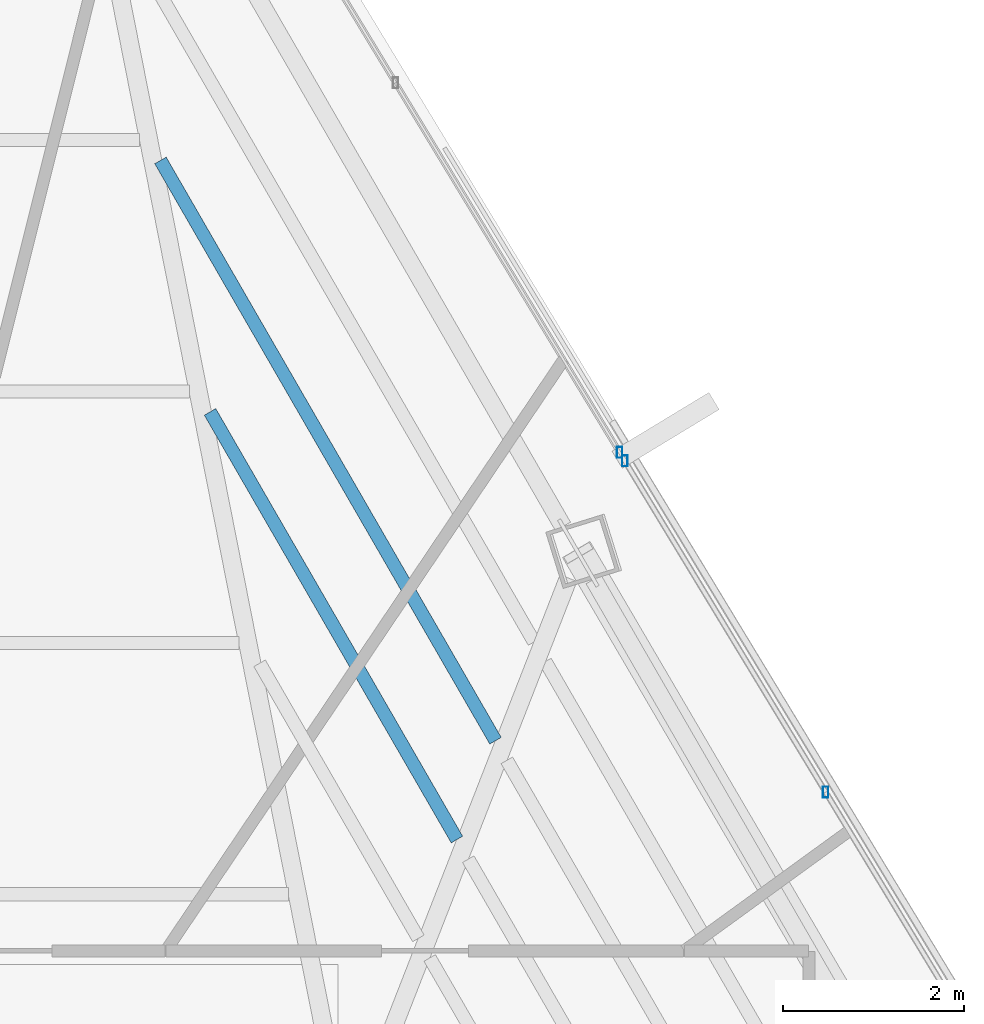
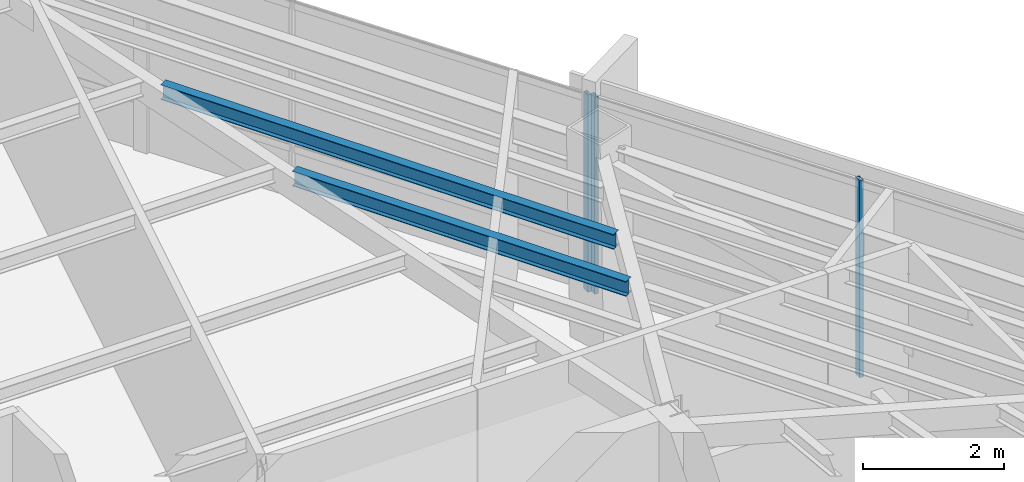
# One storey, part 30 of 46: 3 members, 2 beams, 2 elements without a shape of their own.
"""IFC4 building model written with IfcOpenShell, lengths in metres."""

from ifc_helpers import new_model, si_unit, direction, frame, origin, origin_2d, place, context, subcontext, project, spatial, hollow_rectangle, i_section, extrude, source, transform, mapped, material, material_profile, profile_set, type_object, type_shapes, element, aggregate, save


model = new_model("IFC4")

# Units and contexts
model_context = context("Model", 3, precision=1e-05, world=origin(), true_north=direction((0.0, 1.0)))
body_context = subcontext(model_context, "Body", "Model", "MODEL_VIEW")
ifc_project = project(units=[si_unit("LENGTHUNIT", "METRE"), si_unit("AREAUNIT", "SQUARE_METRE"), si_unit("VOLUMEUNIT", "CUBIC_METRE"), si_unit("PLANEANGLEUNIT", "RADIAN"), si_unit("MASSUNIT", "GRAM", prefix="KILO")], contexts=[model_context])

# Site, building, storey
site_placement = place(None, origin())
site = spatial("IfcSite", under=ifc_project, at=site_placement, CompositionType="ELEMENT")
building_placement = place(site_placement, origin())
building = spatial("IfcBuilding", under=site, at=building_placement, Name="Caelisora Broadcast Tower", CompositionType="ELEMENT")
storey_placement = place(building_placement, frame((0.0, 0.0, 237.14990234375)))
storey = spatial("IfcBuildingStorey", under=building, at=storey_placement, Name="L62", CompositionType="ELEMENT", Elevation=237.14990234375)

# Beams
ifc_material_1 = material(Name="Steel Grade 350 (AS/NZS 3679.1)", Category="steel")
ifc_material_profile_1 = material_profile(ifc_material_1, i_section(OverallWidth=0.14599609375, OverallDepth=0.256103515625, WebThickness=0.00634765625, FlangeThickness=0.010986328125, at=origin_2d()), Name="Steel Grade 350 (AS/NZS 3679.1)")
ifc_profile_set_1 = profile_set([ifc_material_profile_1], Name="Steel Grade 350 (AS/NZS 3679.1)")
beam_type = type_object("IfcBeamType", Name="SB04", PredefinedType="JOIST", material=ifc_profile_set_1)
shared_shape_1 = source(origin(), body_context, "Body", "SweptSolid", [
    extrude(i_section(OverallWidth=0.14599609375, OverallDepth=0.256103515625, WebThickness=0.00634765625, FlangeThickness=0.010986328125, at=origin_2d()), origin(), (0.0, 0.0, 1.0), 5.449462890625),
])
beam_1_placement = place(storey_placement, frame((46.714111328125, 33.37890625, 3.27197265625), z_axis=(-0.499974528847, 0.866040109062, 0.0), x_axis=(-0.866040109062, -0.499974528847, 0.0)))
element("IfcBeam", 1, at=beam_1_placement, inside=storey, type_object=beam_type, Name="L62 beam SB04", PredefinedType="JOIST", context=body_context, shape_type="MappedRepresentation", body=[
    mapped(shared_shape_1, transform((0.0, 0.0, 0.0), scale=1.0)),
])
shared_shape_2 = source(origin(), body_context, "Body", "SweptSolid", [
    extrude(i_section(OverallWidth=0.14599609375, OverallDepth=0.256103515625, WebThickness=0.00634765625, FlangeThickness=0.010986328125, at=origin_2d()), origin(), (0.0, 0.0, 1.0), 7.394287109375),
])
type_shapes(beam_type, [shared_shape_1, shared_shape_2])
beam_2_placement = place(storey_placement, frame((47.1396484375, 34.46923828125, 3.27197265625), z_axis=(-0.50001683361, 0.866015684677, 0.0), x_axis=(-0.866015684677, -0.50001683361, 0.0)))
element("IfcBeam", 2, at=beam_2_placement, inside=storey, type_object=beam_type, Name="L62 beam SB04", PredefinedType="JOIST", context=body_context, shape_type="MappedRepresentation", body=[
    mapped(shared_shape_2, transform((0.0, 0.0, 0.0), scale=1.0)),
])

# Curtain wall, member
ifc_material_2 = material(Name="Unitised Aluminium and Low-E Glass Curtain Wall", Category="glass")
curtain_wall_type_1 = type_object("IfcCurtainWallType", Name="CW-Z5", PredefinedType="NOTDEFINED", material=ifc_material_2)
curtain_wall_1_placement = place(storey_placement, origin())
curtain_wall_1 = element("IfcCurtainWall", 3, at=curtain_wall_1_placement, inside=storey, type_object=curtain_wall_type_1, Name="L62 curtain wall CW-Z5", PredefinedType="NOTDEFINED")
ifc_material_3 = material(Name="Aluminium 6063-T6 Anodised Terracotta Bronze", Category="aluminium")
ifc_material_profile_2 = material_profile(ifc_material_3, hollow_rectangle(XDim=0.06005859375, YDim=0.1201171875, WallThickness=0.0029296875, at=origin_2d()), Name="Aluminium 6063-T6 Anodised Terracotta Bronze")
ifc_profile_set_2 = profile_set([ifc_material_profile_2], Name="Aluminium 6063-T6 Anodised Terracotta Bronze")
member_type = type_object("IfcMemberType", Name="CWM-04", PredefinedType="MULLION", material=ifc_profile_set_2)
shared_shape_3 = source(origin(), body_context, "Body", "SweptSolid", [
    extrude(hollow_rectangle(XDim=0.06005859375, YDim=0.1201171875, WallThickness=0.0029296875, at=origin_2d()), origin(), (0.0, 0.0, 1.0), 3.400146484375),
])
type_shapes(member_type, [shared_shape_3])
member_1_placement = place(storey_placement, frame((48.509521484375, 37.65087890625, 0.0), z_axis=(0.0, 0.0, 1.0), x_axis=(1.0, 0.0, 0.0)))
member_1 = element("IfcMember", 4, at=member_1_placement, type_object=member_type, Name="L62-CW-B01 mullion #3", PredefinedType="MULLION", context=body_context, shape_type="MappedRepresentation", body=[
    mapped(shared_shape_3, transform((0.0, 0.0, 0.0), scale=1.0)),
])
aggregate(curtain_wall_1, [member_1])

# Curtain wall, members
ifc_material_4 = material(Name="Unitised Aluminium Insulated Shadow-Box Spandrel Curtain Wall", Category="aluminium")
curtain_wall_type_2 = type_object("IfcCurtainWallType", Name="CW-SP3", PredefinedType="NOTDEFINED", material=ifc_material_4)
curtain_wall_2_placement = place(storey_placement, origin())
curtain_wall_2 = element("IfcCurtainWall", 5, at=curtain_wall_2_placement, inside=storey, type_object=curtain_wall_type_2, Name="L62 curtain wall CW-SP3", PredefinedType="NOTDEFINED")
member_2_placement = place(storey_placement, frame((48.56640625, 37.556884765625, 0.0), z_axis=(0.0, 0.0, 1.0), x_axis=(1.0, 0.0, 0.0)))
member_2 = element("IfcMember", 6, at=member_2_placement, type_object=member_type, Name="L62-CW-B02 mullion #0", PredefinedType="MULLION", context=body_context, shape_type="MappedRepresentation", body=[
    mapped(shared_shape_3, transform((0.0, 0.0, 0.0), scale=1.0)),
])
member_3_placement = place(storey_placement, frame((50.783203125, 33.902099609375, 0.0), z_axis=(0.0, 0.0, 1.0), x_axis=(1.0, 0.0, 0.0)))
member_3 = element("IfcMember", 7, at=member_3_placement, type_object=member_type, Name="L62-CW-B02 mullion #1", PredefinedType="MULLION", context=body_context, shape_type="MappedRepresentation", body=[
    mapped(shared_shape_3, transform((0.0, 0.0, 0.0), scale=1.0)),
])
aggregate(curtain_wall_2, [member_2, member_3])

save(model, "model.ifc")
